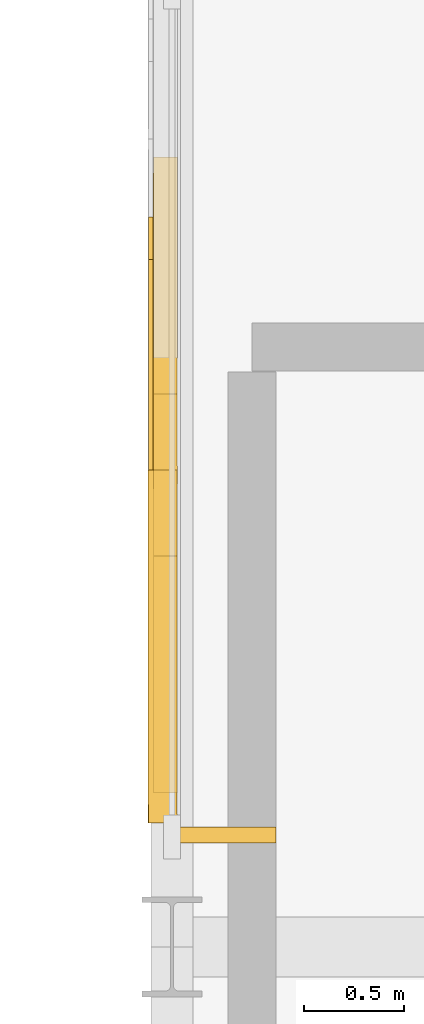
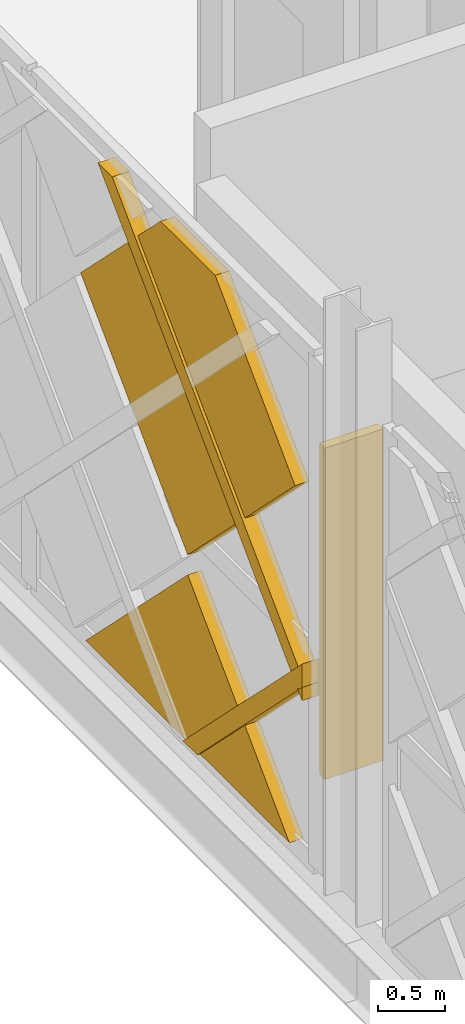
# One storey, part 72 of 84: 4 coverings, 1 shading device.
"""IFC4 building model written with IfcOpenShell, lengths in metres."""

from ifc_helpers import new_model, si_unit, direction, frame, origin, origin_2d, place, context, subcontext, project, spatial, polyline, rectangle, outline, extrude, material, layer, layer_set, type_object, element, save


model = new_model("IFC4")

# Units and contexts
model_context = context("Model", 3, precision=1e-05, world=origin(), true_north=direction((0.0, 1.0)))
body_context = subcontext(model_context, "Body", "Model", "MODEL_VIEW")
ifc_project = project(units=[si_unit("LENGTHUNIT", "METRE"), si_unit("AREAUNIT", "SQUARE_METRE"), si_unit("VOLUMEUNIT", "CUBIC_METRE"), si_unit("PLANEANGLEUNIT", "RADIAN"), si_unit("MASSUNIT", "GRAM", prefix="KILO")], contexts=[model_context])

# Site, building, storey
site_placement = place(None, origin())
site = spatial("IfcSite", under=ifc_project, at=site_placement, CompositionType="ELEMENT")
building_placement = place(site_placement, origin())
building = spatial("IfcBuilding", under=site, at=building_placement, Name="Zevrakil Square Congress Hotel", CompositionType="ELEMENT")
storey_placement = place(building_placement, origin())
storey = spatial("IfcBuildingStorey", under=building, at=storey_placement, Name="L01", CompositionType="ELEMENT", Elevation=0.0)

# Coverings
ifc_material_1 = material(Name="Architectural White Fibre-C GRC", Category="concrete")
ifc_layer_1 = layer(ifc_material_1, 0.06494140625)
ifc_layer_set_1 = layer_set([ifc_layer_1], Name="Architectural White Fibre-C GRC")
covering_type_1 = type_object("IfcCoveringType", Name="COV-DIA-WHITE", PredefinedType="CLADDING", material=ifc_layer_set_1)
covering_1_placement = place(storey_placement, frame((107.906005859375, 57.56005859375, 1.590087890625), z_axis=(-0.999999790873, 0.0, 0.000646725815), x_axis=(-0.000457304257, -0.707106707249, -0.707106707249)))
element("IfcCovering", 1, at=covering_1_placement, inside=storey, type_object=covering_type_1, Name="L01 45-degree white GRC diamond facade cassette 1804", PredefinedType="CLADDING", context=body_context, shape_type="SweptSolid", body=[
    extrude(outline(polyline([(0.0, 0.0), (2.1354765131557993, 0.0), (4.465861884739297e-07, -2.1354765131557527), (0.0, 0.0)])), origin(), (0.0, 0.0, -1.0), 0.1201171875),
])
covering_2_placement = place(storey_placement, frame((107.906982421875, 55.969970703125, 3.360107421875), z_axis=(-0.999999810212, 0.0, 0.000616097645), x_axis=(-0.000435646864, 0.707106714509, -0.707106713663)))
element("IfcCovering", 2, at=covering_2_placement, inside=storey, type_object=covering_type_1, Name="L01 45-degree white GRC diamond facade cassette 1807", PredefinedType="CLADDING", context=body_context, shape_type="SweptSolid", body=[
    extrude(outline(polyline([(0.0, 0.0), (2.2487240723328665, -2.220446049250313e-16), (2.248551014766135, -2.248551438825047), (0.5729701861865238, -2.248551440898992), (0.00017231540003370682, -1.6757534620873598), (0.0, 0.0)])), origin(), (0.0, 0.0, -1.0), 0.1201171875),
])
ifc_material_2 = material(Name="Anodised Champagne Aluminium", Category="aluminium")
ifc_layer_2 = layer(ifc_material_2, 0.0849609375)
ifc_layer_set_2 = layer_set([ifc_layer_2], Name="Anodised Champagne Aluminium")
covering_type_2 = type_object("IfcCoveringType", Name="COV-DIAGRID-45", PredefinedType="MOLDING", material=ifc_layer_set_2)
covering_3_placement = place(storey_placement, frame((107.8798828125, 57.373779296875, 0.080078125), z_axis=(-0.999999864796, -0.000367701083, 0.000367701083), x_axis=(-0.000367701058, 0.999999932398, 1.35204e-07)))
element("IfcCovering", 3, at=covering_3_placement, inside=storey, type_object=covering_type_2, Name="L01 45-degree aluminium diagrid rib 1812", PredefinedType="MOLDING", context=body_context, shape_type="SweptSolid", body=[
    extrude(outline(polyline([(0.0, 0.0), (0.21240232939116713, 0.0), (-1.5537110425340446, -1.766113610711005), (-1.5537110712517115, -1.5537112813198397), (0.0, 0.0)])), origin(), (0.0, 0.0, -1.0), 0.14501953125),
])
covering_4_placement = place(storey_placement, frame((107.8828125, 58.85107421875, 4.544921875), z_axis=(-0.999999570971, -0.000262365241, 0.000888382251), x_axis=(0.000262365138, -0.999999965582, -2.33081e-07)))
element("IfcCovering", 4, at=covering_4_placement, inside=storey, type_object=covering_type_2, Name="L01 45-degree aluminium diagrid rib 1815", PredefinedType="MOLDING", context=body_context, shape_type="SweptSolid", body=[
    extrude(outline(polyline([(0.0, 0.0), (0.21215819582298975, 0.0), (3.031005963695437, -2.8188480621314063), (3.0310059490914165, -3.03100639842652), (0.0, 0.0)])), origin(), (0.0, 0.0, -1.0), 0.14501953125),
])

# Shading device
ifc_material_3 = material(Name="Aluminium Anodised Bronze", Category="aluminium")
shading_device_type = type_object("IfcShadingDeviceType", Name="SHD-FIN-50", PredefinedType="JALOUSIE", material=ifc_material_3)
shading_device_placement = place(storey_placement, frame((108.27001953125, 55.760009765625, 0.8125), z_axis=(0.0, 0.0, 1.0), x_axis=(1.0, 0.0, 0.0)))
element("IfcShadingDevice", 5, at=shading_device_placement, inside=storey, type_object=shading_device_type, Name="L01 aluminium solar shading fin 97", PredefinedType="JALOUSIE", context=body_context, shape_type="SweptSolid", body=[
    extrude(rectangle(XDim=0.5, YDim=0.080078125, at=origin_2d()), origin(), (0.0, 0.0, 1.0), 3.0),
])

save(model, "model.ifc")
